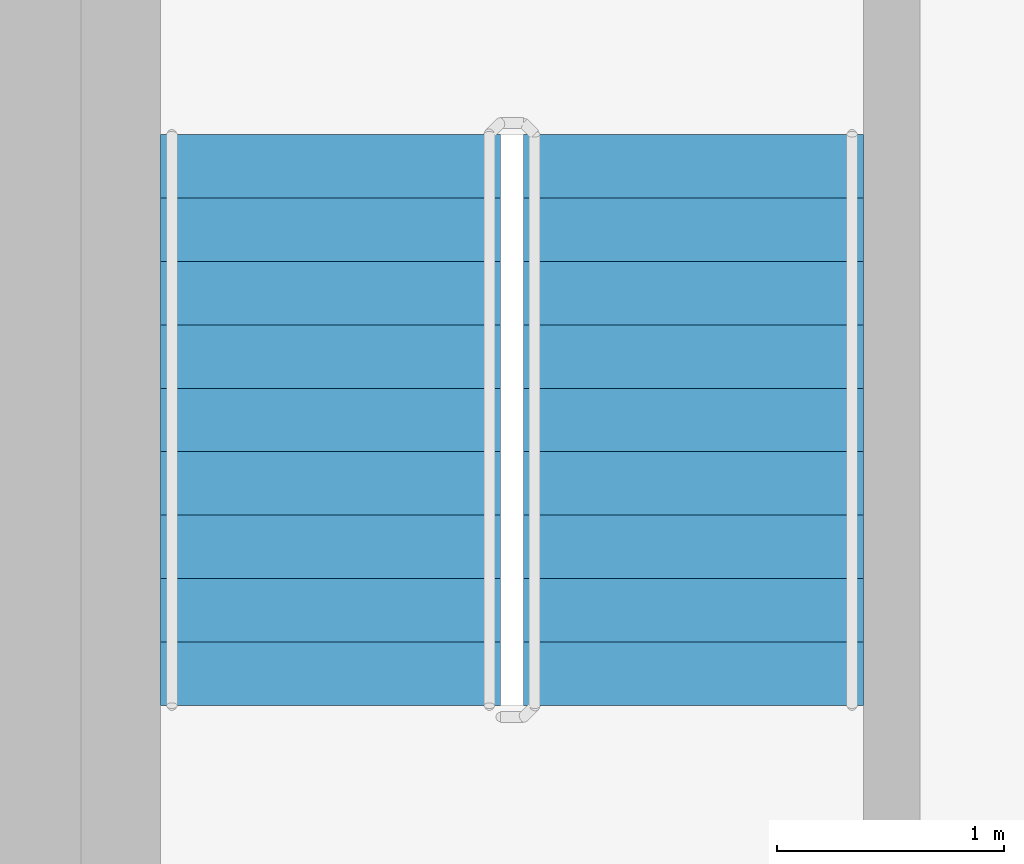
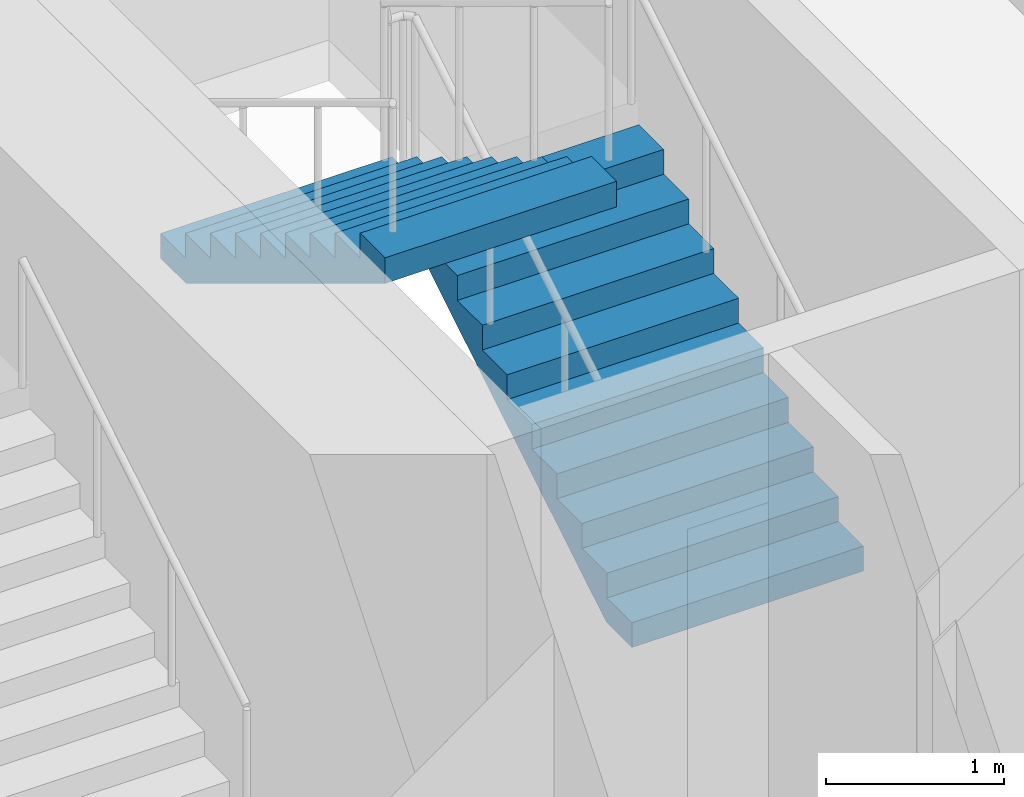
# One storey, part 14 of 22: 2 stair flights, 1 element without a shape of its own.
"""IFC4 building model written with IfcOpenShell, lengths in metres."""

from ifc_helpers import new_model, si_unit, direction, frame, origin, place, context, subcontext, project, spatial, triangles, source, transform, mapped, material, type_object, element, aggregate, save


model = new_model("IFC4")

# Units and contexts
model_context = context("Model", 3, precision=1e-05, world=origin(), true_north=direction((0.0, 1.0)))
body_context = subcontext(model_context, "Body", "Model", "MODEL_VIEW")
ifc_project = project(units=[si_unit("LENGTHUNIT", "METRE"), si_unit("AREAUNIT", "SQUARE_METRE"), si_unit("VOLUMEUNIT", "CUBIC_METRE"), si_unit("PLANEANGLEUNIT", "RADIAN"), si_unit("MASSUNIT", "GRAM", prefix="KILO")], contexts=[model_context])

# Site, building, storey
site_placement = place(None, origin())
site = spatial("IfcSite", under=ifc_project, at=site_placement, CompositionType="ELEMENT")
building_placement = place(site_placement, origin())
building = spatial("IfcBuilding", under=site, at=building_placement, Name="Kilnfold Tower and Market Hall", CompositionType="ELEMENT")
storey_placement = place(building_placement, frame((0.0, 0.0, 171.89990234375)))
storey = spatial("IfcBuildingStorey", under=building, at=storey_placement, Name="L40", CompositionType="ELEMENT", Elevation=171.89990234375)

# Stair, stair flights
ifc_material_1 = material(Name="Concrete C40/50", Category="concrete")
stair_type = type_object("IfcStairType", Name="CORE STAIR 1500", PredefinedType="HALF_TURN_STAIR", material=ifc_material_1)
stair_placement = place(storey_placement, origin())
stair = element("IfcStair", 1, at=stair_placement, inside=storey, type_object=stair_type, Name="L40 ST5", PredefinedType="HALF_TURN_STAIR")
ifc_material_2 = material(Name="Concrete C40/50", Category="concrete")
stair_flight_type = type_object("IfcStairFlightType", Name="CORE STAIR FLIGHT 1500", PredefinedType="STRAIGHT", material=ifc_material_2)
shared_shape = source(origin(), body_context, "Body", "Tessellation", [
    triangles([(0.0, 0.75, 0.0), (0.0, 0.65625, 0.0), (0.0, 0.5625, 0.0), (0.0, 0.46875, 0.0), (0.0, 0.375, 0.0), (0.0, 0.28125, 0.0), (0.0, 0.1875, 0.0), (0.0, 0.09375, 0.0), (0.0, 0.0, 0.0), (0.0, -0.09375, 0.0), (0.0, -0.1875, 0.0), (0.0, -0.28125, 0.0), (0.0, -0.375, 0.0), (0.0, -0.46875, 0.0), (0.0, -0.5625, 0.0), (0.0, -0.65625, 0.0), (0.0, -0.75, 0.0), (0.0, 0.75, 0.169921875), (0.0, 0.65625, 0.169921875), (0.0, 0.5625, 0.169921875), (0.0, 0.46875, 0.169921875), (0.0, 0.375, 0.169921875), (0.0, 0.28125, 0.169921875), (0.0, 0.1875, 0.169921875), (0.0, 0.09375, 0.169921875), (0.0, 0.0, 0.169921875), (0.0, -0.09375, 0.169921875), (0.0, -0.1875, 0.169921875), (0.0, -0.28125, 0.169921875), (0.0, -0.375, 0.169921875), (0.0, -0.46875, 0.169921875), (0.0, -0.5625, 0.169921875), (0.0, -0.65625, 0.169921875), (0.0, -0.75, 0.169921875), (0.280029296875, 0.75, 0.169921875), (0.280029296875, 0.65625, 0.169921875), (0.280029296875, 0.5625, 0.169921875), (0.280029296875, 0.46875, 0.169921875), (0.280029296875, 0.375, 0.169921875), (0.280029296875, 0.28125, 0.169921875), (0.280029296875, 0.1875, 0.169921875), (0.280029296875, 0.09375, 0.169921875), (0.280029296875, 0.0, 0.169921875), (0.280029296875, -0.09375, 0.169921875), (0.280029296875, -0.1875, 0.169921875), (0.280029296875, -0.28125, 0.169921875), (0.280029296875, -0.375, 0.169921875), (0.280029296875, -0.46875, 0.169921875), (0.280029296875, -0.5625, 0.169921875), (0.280029296875, -0.65625, 0.169921875), (0.280029296875, -0.75, 0.169921875), (0.280029296875, 0.75, 0.340087890625), (0.280029296875, 0.65625, 0.340087890625), (0.280029296875, 0.5625, 0.340087890625), (0.280029296875, 0.46875, 0.340087890625), (0.280029296875, 0.375, 0.340087890625), (0.280029296875, 0.28125, 0.340087890625), (0.280029296875, 0.1875, 0.340087890625), (0.280029296875, 0.09375, 0.340087890625), (0.280029296875, 0.0, 0.340087890625), (0.280029296875, -0.09375, 0.340087890625), (0.280029296875, -0.1875, 0.340087890625), (0.280029296875, -0.28125, 0.340087890625), (0.280029296875, -0.375, 0.340087890625), (0.280029296875, -0.46875, 0.340087890625), (0.280029296875, -0.5625, 0.340087890625), (0.280029296875, -0.65625, 0.340087890625), (0.280029296875, -0.75, 0.340087890625), (0.56005859375, 0.75, 0.340087890625), (0.56005859375, 0.65625, 0.340087890625), (0.56005859375, 0.5625, 0.340087890625), (0.56005859375, 0.46875, 0.340087890625), (0.56005859375, 0.375, 0.340087890625), (0.56005859375, 0.28125, 0.340087890625), (0.56005859375, 0.1875, 0.340087890625), (0.56005859375, 0.09375, 0.340087890625), (0.56005859375, 0.0, 0.340087890625), (0.56005859375, -0.09375, 0.340087890625), (0.56005859375, -0.1875, 0.340087890625), (0.56005859375, -0.28125, 0.340087890625), (0.56005859375, -0.375, 0.340087890625), (0.56005859375, -0.46875, 0.340087890625), (0.56005859375, -0.5625, 0.340087890625), (0.56005859375, -0.65625, 0.340087890625), (0.56005859375, -0.75, 0.340087890625), (0.56005859375, 0.75, 0.510009765625), (0.56005859375, 0.65625, 0.510009765625), (0.56005859375, 0.5625, 0.510009765625), (0.56005859375, 0.46875, 0.510009765625), (0.56005859375, 0.375, 0.510009765625), (0.56005859375, 0.28125, 0.510009765625), (0.56005859375, 0.1875, 0.510009765625), (0.56005859375, 0.09375, 0.510009765625), (0.56005859375, 0.0, 0.510009765625), (0.56005859375, -0.09375, 0.510009765625), (0.56005859375, -0.1875, 0.510009765625), (0.56005859375, -0.28125, 0.510009765625), (0.56005859375, -0.375, 0.510009765625), (0.56005859375, -0.46875, 0.510009765625), (0.56005859375, -0.5625, 0.510009765625), (0.56005859375, -0.65625, 0.510009765625), (0.56005859375, -0.75, 0.510009765625), (0.840087890625, 0.75, 0.510009765625), (0.840087890625, 0.65625, 0.510009765625), (0.840087890625, 0.5625, 0.510009765625), (0.840087890625, 0.46875, 0.510009765625), (0.840087890625, 0.375, 0.510009765625), (0.840087890625, 0.28125, 0.510009765625), (0.840087890625, 0.1875, 0.510009765625), (0.840087890625, 0.09375, 0.510009765625), (0.840087890625, 0.0, 0.510009765625), (0.840087890625, -0.09375, 0.510009765625), (0.840087890625, -0.1875, 0.510009765625), (0.840087890625, -0.28125, 0.510009765625), (0.840087890625, -0.375, 0.510009765625), (0.840087890625, -0.46875, 0.510009765625), (0.840087890625, -0.5625, 0.510009765625), (0.840087890625, -0.65625, 0.510009765625), (0.840087890625, -0.75, 0.510009765625), (0.840087890625, 0.75, 0.679931640625), (0.840087890625, 0.65625, 0.679931640625), (0.840087890625, 0.5625, 0.679931640625), (0.840087890625, 0.46875, 0.679931640625), (0.840087890625, 0.375, 0.679931640625), (0.840087890625, 0.28125, 0.679931640625), (0.840087890625, 0.1875, 0.679931640625), (0.840087890625, 0.09375, 0.679931640625), (0.840087890625, 0.0, 0.679931640625), (0.840087890625, -0.09375, 0.679931640625), (0.840087890625, -0.1875, 0.679931640625), (0.840087890625, -0.28125, 0.679931640625), (0.840087890625, -0.375, 0.679931640625), (0.840087890625, -0.46875, 0.679931640625), (0.840087890625, -0.5625, 0.679931640625), (0.840087890625, -0.65625, 0.679931640625), (0.840087890625, -0.75, 0.679931640625), (1.1201171875, 0.75, 0.679931640625), (1.1201171875, 0.65625, 0.679931640625), (1.1201171875, 0.5625, 0.679931640625), (1.1201171875, 0.46875, 0.679931640625), (1.1201171875, 0.375, 0.679931640625), (1.1201171875, 0.28125, 0.679931640625), (1.1201171875, 0.1875, 0.679931640625), (1.1201171875, 0.09375, 0.679931640625), (1.1201171875, 0.0, 0.679931640625), (1.1201171875, -0.09375, 0.679931640625), (1.1201171875, -0.1875, 0.679931640625), (1.1201171875, -0.28125, 0.679931640625), (1.1201171875, -0.375, 0.679931640625), (1.1201171875, -0.46875, 0.679931640625), (1.1201171875, -0.5625, 0.679931640625), (1.1201171875, -0.65625, 0.679931640625), (1.1201171875, -0.75, 0.679931640625), (1.1201171875, 0.75, 0.85009765625), (1.1201171875, 0.65625, 0.85009765625), (1.1201171875, 0.5625, 0.85009765625), (1.1201171875, 0.46875, 0.85009765625), (1.1201171875, 0.375, 0.85009765625), (1.1201171875, 0.28125, 0.85009765625), (1.1201171875, 0.1875, 0.85009765625), (1.1201171875, 0.09375, 0.85009765625), (1.1201171875, 0.0, 0.85009765625), (1.1201171875, -0.09375, 0.85009765625), (1.1201171875, -0.1875, 0.85009765625), (1.1201171875, -0.28125, 0.85009765625), (1.1201171875, -0.375, 0.85009765625), (1.1201171875, -0.46875, 0.85009765625), (1.1201171875, -0.5625, 0.85009765625), (1.1201171875, -0.65625, 0.85009765625), (1.1201171875, -0.75, 0.85009765625), (1.39990234375, 0.75, 0.85009765625), (1.39990234375, 0.65625, 0.85009765625), (1.39990234375, 0.5625, 0.85009765625), (1.39990234375, 0.46875, 0.85009765625), (1.39990234375, 0.375, 0.85009765625), (1.39990234375, 0.28125, 0.85009765625), (1.39990234375, 0.1875, 0.85009765625), (1.39990234375, 0.09375, 0.85009765625), (1.39990234375, 0.0, 0.85009765625), (1.39990234375, -0.09375, 0.85009765625), (1.39990234375, -0.1875, 0.85009765625), (1.39990234375, -0.28125, 0.85009765625), (1.39990234375, -0.375, 0.85009765625), (1.39990234375, -0.46875, 0.85009765625), (1.39990234375, -0.5625, 0.85009765625), (1.39990234375, -0.65625, 0.85009765625), (1.39990234375, -0.75, 0.85009765625), (1.39990234375, 0.75, 1.02001953125), (1.39990234375, 0.65625, 1.02001953125), (1.39990234375, 0.5625, 1.02001953125), (1.39990234375, 0.46875, 1.02001953125), (1.39990234375, 0.375, 1.02001953125), (1.39990234375, 0.28125, 1.02001953125), (1.39990234375, 0.1875, 1.02001953125), (1.39990234375, 0.09375, 1.02001953125), (1.39990234375, 0.0, 1.02001953125), (1.39990234375, -0.09375, 1.02001953125), (1.39990234375, -0.1875, 1.02001953125), (1.39990234375, -0.28125, 1.02001953125), (1.39990234375, -0.375, 1.02001953125), (1.39990234375, -0.46875, 1.02001953125), (1.39990234375, -0.5625, 1.02001953125), (1.39990234375, -0.65625, 1.02001953125), (1.39990234375, -0.75, 1.02001953125), (1.679931640625, 0.75, 1.02001953125), (1.679931640625, 0.65625, 1.02001953125), (1.679931640625, 0.5625, 1.02001953125), (1.679931640625, 0.46875, 1.02001953125), (1.679931640625, 0.375, 1.02001953125), (1.679931640625, 0.28125, 1.02001953125), (1.679931640625, 0.1875, 1.02001953125), (1.679931640625, 0.09375, 1.02001953125), (1.679931640625, 0.0, 1.02001953125), (1.679931640625, -0.09375, 1.02001953125), (1.679931640625, -0.1875, 1.02001953125), (1.679931640625, -0.28125, 1.02001953125), (1.679931640625, -0.375, 1.02001953125), (1.679931640625, -0.46875, 1.02001953125), (1.679931640625, -0.5625, 1.02001953125), (1.679931640625, -0.65625, 1.02001953125), (1.679931640625, -0.75, 1.02001953125), (1.679931640625, 0.75, 1.18994140625), (1.679931640625, 0.65625, 1.18994140625), (1.679931640625, 0.5625, 1.18994140625), (1.679931640625, 0.46875, 1.18994140625), (1.679931640625, 0.375, 1.18994140625), (1.679931640625, 0.28125, 1.18994140625), (1.679931640625, 0.1875, 1.18994140625), (1.679931640625, 0.09375, 1.18994140625), (1.679931640625, 0.0, 1.18994140625), (1.679931640625, -0.09375, 1.18994140625), (1.679931640625, -0.1875, 1.18994140625), (1.679931640625, -0.28125, 1.18994140625), (1.679931640625, -0.375, 1.18994140625), (1.679931640625, -0.46875, 1.18994140625), (1.679931640625, -0.5625, 1.18994140625), (1.679931640625, -0.65625, 1.18994140625), (1.679931640625, -0.75, 1.18994140625), (1.9599609375, 0.75, 1.18994140625), (1.9599609375, 0.65625, 1.18994140625), (1.9599609375, 0.5625, 1.18994140625), (1.9599609375, 0.46875, 1.18994140625), (1.9599609375, 0.375, 1.18994140625), (1.9599609375, 0.28125, 1.18994140625), (1.9599609375, 0.1875, 1.18994140625), (1.9599609375, 0.09375, 1.18994140625), (1.9599609375, 0.0, 1.18994140625), (1.9599609375, -0.09375, 1.18994140625), (1.9599609375, -0.1875, 1.18994140625), (1.9599609375, -0.28125, 1.18994140625), (1.9599609375, -0.375, 1.18994140625), (1.9599609375, -0.46875, 1.18994140625), (1.9599609375, -0.5625, 1.18994140625), (1.9599609375, -0.65625, 1.18994140625), (1.9599609375, -0.75, 1.18994140625), (1.9599609375, 0.75, 1.360107421875), (1.9599609375, 0.65625, 1.360107421875), (1.9599609375, 0.5625, 1.360107421875), (1.9599609375, 0.46875, 1.360107421875), (1.9599609375, 0.375, 1.360107421875), (1.9599609375, 0.28125, 1.360107421875), (1.9599609375, 0.1875, 1.360107421875), (1.9599609375, 0.09375, 1.360107421875), (1.9599609375, 0.0, 1.360107421875), (1.9599609375, -0.09375, 1.360107421875), (1.9599609375, -0.1875, 1.360107421875), (1.9599609375, -0.28125, 1.360107421875), (1.9599609375, -0.375, 1.360107421875), (1.9599609375, -0.46875, 1.360107421875), (1.9599609375, -0.5625, 1.360107421875), (1.9599609375, -0.65625, 1.360107421875), (1.9599609375, -0.75, 1.360107421875), (2.239990234375, 0.75, 1.360107421875), (2.239990234375, 0.65625, 1.360107421875), (2.239990234375, 0.5625, 1.360107421875), (2.239990234375, 0.46875, 1.360107421875), (2.239990234375, 0.375, 1.360107421875), (2.239990234375, 0.28125, 1.360107421875), (2.239990234375, 0.1875, 1.360107421875), (2.239990234375, 0.09375, 1.360107421875), (2.239990234375, 0.0, 1.360107421875), (2.239990234375, -0.09375, 1.360107421875), (2.239990234375, -0.1875, 1.360107421875), (2.239990234375, -0.28125, 1.360107421875), (2.239990234375, -0.375, 1.360107421875), (2.239990234375, -0.46875, 1.360107421875), (2.239990234375, -0.5625, 1.360107421875), (2.239990234375, -0.65625, 1.360107421875), (2.239990234375, -0.75, 1.360107421875), (2.239990234375, 0.75, 1.530029296875), (2.239990234375, 0.65625, 1.530029296875), (2.239990234375, 0.5625, 1.530029296875), (2.239990234375, 0.46875, 1.530029296875), (2.239990234375, 0.375, 1.530029296875), (2.239990234375, 0.28125, 1.530029296875), (2.239990234375, 0.1875, 1.530029296875), (2.239990234375, 0.09375, 1.530029296875), (2.239990234375, 0.0, 1.530029296875), (2.239990234375, -0.09375, 1.530029296875), (2.239990234375, -0.1875, 1.530029296875), (2.239990234375, -0.28125, 1.530029296875), (2.239990234375, -0.375, 1.530029296875), (2.239990234375, -0.46875, 1.530029296875), (2.239990234375, -0.5625, 1.530029296875), (2.239990234375, -0.65625, 1.530029296875), (2.239990234375, -0.75, 1.530029296875), (2.52001953125, 0.75, 1.530029296875), (2.52001953125, 0.65625, 1.530029296875), (2.52001953125, 0.5625, 1.530029296875), (2.52001953125, 0.46875, 1.530029296875), (2.52001953125, 0.375, 1.530029296875), (2.52001953125, 0.28125, 1.530029296875), (2.52001953125, 0.1875, 1.530029296875), (2.52001953125, 0.09375, 1.530029296875), (2.52001953125, 0.0, 1.530029296875), (2.52001953125, -0.09375, 1.530029296875), (2.52001953125, -0.1875, 1.530029296875), (2.52001953125, -0.28125, 1.530029296875), (2.52001953125, -0.375, 1.530029296875), (2.52001953125, -0.46875, 1.530029296875), (2.52001953125, -0.5625, 1.530029296875), (2.52001953125, -0.65625, 1.530029296875), (2.52001953125, -0.75, 1.530029296875), (2.52001953125, 0.75, 1.354736328125), (2.52001953125, 0.65625, 1.354736328125), (2.52001953125, 0.5625, 1.354736328125), (2.52001953125, 0.46875, 1.354736328125), (2.52001953125, 0.375, 1.354736328125), (2.52001953125, 0.28125, 1.354736328125), (2.52001953125, 0.1875, 1.354736328125), (2.52001953125, 0.09375, 1.354736328125), (2.52001953125, 0.0, 1.354736328125), (2.52001953125, -0.09375, 1.354736328125), (2.52001953125, -0.1875, 1.354736328125), (2.52001953125, -0.28125, 1.354736328125), (2.52001953125, -0.375, 1.354736328125), (2.52001953125, -0.46875, 1.354736328125), (2.52001953125, -0.5625, 1.354736328125), (2.52001953125, -0.65625, 1.354736328125), (2.52001953125, -0.75, 1.354736328125), (0.288818359375, 0.75, 0.0), (0.288818359375, 0.65625, 0.0), (0.288818359375, 0.5625, 0.0), (0.288818359375, 0.46875, 0.0), (0.288818359375, 0.375, 0.0), (0.288818359375, 0.28125, 0.0), (0.288818359375, 0.1875, 0.0), (0.288818359375, 0.09375, 0.0), (0.288818359375, 0.0, 0.0), (0.288818359375, -0.09375, 0.0), (0.288818359375, -0.1875, 0.0), (0.288818359375, -0.28125, 0.0), (0.288818359375, -0.375, 0.0), (0.288818359375, -0.46875, 0.0), (0.288818359375, -0.5625, 0.0), (0.288818359375, -0.65625, 0.0), (0.288818359375, -0.75, 0.0)], [[1, 324, 341], [17, 357, 340], [324, 290, 307], [340, 323, 306], [324, 273, 290], [340, 306, 289], [324, 256, 273], [340, 289, 272], [324, 239, 256], [340, 272, 255], [239, 205, 222], [255, 238, 221], [324, 205, 239], [340, 255, 221], [205, 171, 188], [221, 204, 187], [324, 171, 205], [340, 221, 187], [171, 137, 154], [187, 170, 153], [324, 137, 171], [340, 187, 153], [137, 103, 120], [153, 136, 119], [324, 103, 137], [340, 153, 119], [103, 69, 86], [119, 102, 85], [324, 69, 103], [340, 119, 85], [69, 35, 52], [85, 68, 51], [324, 35, 69], [340, 85, 51], [1, 35, 324], [17, 340, 51], [35, 1, 18], [51, 34, 17], [1, 19, 18], [1, 2, 19], [2, 20, 19], [2, 3, 20], [3, 21, 20], [3, 4, 21], [4, 22, 21], [4, 5, 22], [5, 23, 22], [5, 6, 23], [6, 24, 23], [6, 7, 24], [7, 25, 24], [7, 8, 25], [8, 26, 25], [8, 9, 26], [9, 27, 26], [9, 10, 27], [10, 28, 27], [10, 11, 28], [11, 29, 28], [11, 12, 29], [12, 30, 29], [12, 13, 30], [13, 31, 30], [13, 14, 31], [14, 32, 31], [14, 15, 32], [15, 33, 32], [15, 16, 33], [16, 34, 33], [16, 17, 34], [18, 36, 35], [18, 19, 36], [19, 37, 36], [19, 20, 37], [20, 38, 37], [20, 21, 38], [21, 39, 38], [21, 22, 39], [22, 40, 39], [22, 23, 40], [23, 41, 40], [23, 24, 41], [24, 42, 41], [24, 25, 42], [25, 43, 42], [25, 26, 43], [26, 44, 43], [26, 27, 44], [27, 45, 44], [27, 28, 45], [28, 46, 45], [28, 29, 46], [29, 47, 46], [29, 30, 47], [30, 48, 47], [30, 31, 48], [31, 49, 48], [31, 32, 49], [32, 50, 49], [32, 33, 50], [33, 51, 50], [33, 34, 51], [35, 53, 52], [35, 36, 53], [36, 54, 53], [36, 37, 54], [37, 55, 54], [37, 38, 55], [38, 56, 55], [38, 39, 56], [39, 57, 56], [39, 40, 57], [40, 58, 57], [40, 41, 58], [41, 59, 58], [41, 42, 59], [42, 60, 59], [42, 43, 60], [43, 61, 60], [43, 44, 61], [44, 62, 61], [44, 45, 62], [45, 63, 62], [45, 46, 63], [46, 64, 63], [46, 47, 64], [47, 65, 64], [47, 48, 65], [48, 66, 65], [48, 49, 66], [49, 67, 66], [49, 50, 67], [50, 68, 67], [50, 51, 68], [52, 70, 69], [52, 53, 70], [53, 71, 70], [53, 54, 71], [54, 72, 71], [54, 55, 72], [55, 73, 72], [55, 56, 73], [56, 74, 73], [56, 57, 74], [57, 75, 74], [57, 58, 75], [58, 76, 75], [58, 59, 76], [59, 77, 76], [59, 60, 77], [60, 78, 77], [60, 61, 78], [61, 79, 78], [61, 62, 79], [62, 80, 79], [62, 63, 80], [63, 81, 80], [63, 64, 81], [64, 82, 81], [64, 65, 82], [65, 83, 82], [65, 66, 83], [66, 84, 83], [66, 67, 84], [67, 85, 84], [67, 68, 85], [69, 87, 86], [69, 70, 87], [70, 88, 87], [70, 71, 88], [71, 89, 88], [71, 72, 89], [72, 90, 89], [72, 73, 90], [73, 91, 90], [73, 74, 91], [74, 92, 91], [74, 75, 92], [75, 93, 92], [75, 76, 93], [76, 94, 93], [76, 77, 94], [77, 95, 94], [77, 78, 95], [78, 96, 95], [78, 79, 96], [79, 97, 96], [79, 80, 97], [80, 98, 97], [80, 81, 98], [81, 99, 98], [81, 82, 99], [82, 100, 99], [82, 83, 100], [83, 101, 100], [83, 84, 101], [84, 102, 101], [84, 85, 102], [86, 104, 103], [86, 87, 104], [87, 105, 104], [87, 88, 105], [88, 106, 105], [88, 89, 106], [89, 107, 106], [89, 90, 107], [90, 108, 107], [90, 91, 108], [91, 109, 108], [91, 92, 109], [92, 110, 109], [92, 93, 110], [93, 111, 110], [93, 94, 111], [94, 112, 111], [94, 95, 112], [95, 113, 112], [95, 96, 113], [96, 114, 113], [96, 97, 114], [97, 115, 114], [97, 98, 115], [98, 116, 115], [98, 99, 116], [99, 117, 116], [99, 100, 117], [100, 118, 117], [100, 101, 118], [101, 119, 118], [101, 102, 119], [103, 121, 120], [103, 104, 121], [104, 122, 121], [104, 105, 122], [105, 123, 122], [105, 106, 123], [106, 124, 123], [106, 107, 124], [107, 125, 124], [107, 108, 125], [108, 126, 125], [108, 109, 126], [109, 127, 126], [109, 110, 127], [110, 128, 127], [110, 111, 128], [111, 129, 128], [111, 112, 129], [112, 130, 129], [112, 113, 130], [113, 131, 130], [113, 114, 131], [114, 132, 131], [114, 115, 132], [115, 133, 132], [115, 116, 133], [116, 134, 133], [116, 117, 134], [117, 135, 134], [117, 118, 135], [118, 136, 135], [118, 119, 136], [120, 138, 137], [120, 121, 138], [121, 139, 138], [121, 122, 139], [122, 140, 139], [122, 123, 140], [123, 141, 140], [123, 124, 141], [124, 142, 141], [124, 125, 142], [125, 143, 142], [125, 126, 143], [126, 144, 143], [126, 127, 144], [127, 145, 144], [127, 128, 145], [128, 146, 145], [128, 129, 146], [129, 147, 146], [129, 130, 147], [130, 148, 147], [130, 131, 148], [131, 149, 148], [131, 132, 149], [132, 150, 149], [132, 133, 150], [133, 151, 150], [133, 134, 151], [134, 152, 151], [134, 135, 152], [135, 153, 152], [135, 136, 153], [137, 155, 154], [137, 138, 155], [138, 156, 155], [138, 139, 156], [139, 157, 156], [139, 140, 157], [140, 158, 157], [140, 141, 158], [141, 159, 158], [141, 142, 159], [142, 160, 159], [142, 143, 160], [143, 161, 160], [143, 144, 161], [144, 162, 161], [144, 145, 162], [145, 163, 162], [145, 146, 163], [146, 164, 163], [146, 147, 164], [147, 165, 164], [147, 148, 165], [148, 166, 165], [148, 149, 166], [149, 167, 166], [149, 150, 167], [150, 168, 167], [150, 151, 168], [151, 169, 168], [151, 152, 169], [152, 170, 169], [152, 153, 170], [154, 172, 171], [154, 155, 172], [155, 173, 172], [155, 156, 173], [156, 174, 173], [156, 157, 174], [157, 175, 174], [157, 158, 175], [158, 176, 175], [158, 159, 176], [159, 177, 176], [159, 160, 177], [160, 178, 177], [160, 161, 178], [161, 179, 178], [161, 162, 179], [162, 180, 179], [162, 163, 180], [163, 181, 180], [163, 164, 181], [164, 182, 181], [164, 165, 182], [165, 183, 182], [165, 166, 183], [166, 184, 183], [166, 167, 184], [167, 185, 184], [167, 168, 185], [168, 186, 185], [168, 169, 186], [169, 187, 186], [169, 170, 187], [171, 189, 188], [171, 172, 189], [172, 190, 189], [172, 173, 190], [173, 191, 190], [173, 174, 191], [174, 192, 191], [174, 175, 192], [175, 193, 192], [175, 176, 193], [176, 194, 193], [176, 177, 194], [177, 195, 194], [177, 178, 195], [178, 196, 195], [178, 179, 196], [179, 197, 196], [179, 180, 197], [180, 198, 197], [180, 181, 198], [181, 199, 198], [181, 182, 199], [182, 200, 199], [182, 183, 200], [183, 201, 200], [183, 184, 201], [184, 202, 201], [184, 185, 202], [185, 203, 202], [185, 186, 203], [186, 204, 203], [186, 187, 204], [188, 206, 205], [188, 189, 206], [189, 207, 206], [189, 190, 207], [190, 208, 207], [190, 191, 208], [191, 209, 208], [191, 192, 209], [192, 210, 209], [192, 193, 210], [193, 211, 210], [193, 194, 211], [194, 212, 211], [194, 195, 212], [195, 213, 212], [195, 196, 213], [196, 214, 213], [196, 197, 214], [197, 215, 214], [197, 198, 215], [198, 216, 215], [198, 199, 216], [199, 217, 216], [199, 200, 217], [200, 218, 217], [200, 201, 218], [201, 219, 218], [201, 202, 219], [202, 220, 219], [202, 203, 220], [203, 221, 220], [203, 204, 221], [205, 223, 222], [205, 206, 223], [206, 224, 223], [206, 207, 224], [207, 225, 224], [207, 208, 225], [208, 226, 225], [208, 209, 226], [209, 227, 226], [209, 210, 227], [210, 228, 227], [210, 211, 228], [211, 229, 228], [211, 212, 229], [212, 230, 229], [212, 213, 230], [213, 231, 230], [213, 214, 231], [214, 232, 231], [214, 215, 232], [215, 233, 232], [215, 216, 233], [216, 234, 233], [216, 217, 234], [217, 235, 234], [217, 218, 235], [218, 236, 235], [218, 219, 236], [219, 237, 236], [219, 220, 237], [220, 238, 237], [220, 221, 238], [222, 240, 239], [222, 223, 240], [223, 241, 240], [223, 224, 241], [224, 242, 241], [224, 225, 242], [225, 243, 242], [225, 226, 243], [226, 244, 243], [226, 227, 244], [227, 245, 244], [227, 228, 245], [228, 246, 245], [228, 229, 246], [229, 247, 246], [229, 230, 247], [230, 248, 247], [230, 231, 248], [231, 249, 248], [231, 232, 249], [232, 250, 249], [232, 233, 250], [233, 251, 250], [233, 234, 251], [234, 252, 251], [234, 235, 252], [235, 253, 252], [235, 236, 253], [236, 254, 253], [236, 237, 254], [237, 255, 254], [237, 238, 255], [239, 257, 256], [239, 240, 257], [240, 258, 257], [240, 241, 258], [241, 259, 258], [241, 242, 259], [242, 260, 259], [242, 243, 260], [243, 261, 260], [243, 244, 261], [244, 262, 261], [244, 245, 262], [245, 263, 262], [245, 246, 263], [246, 264, 263], [246, 247, 264], [247, 265, 264], [247, 248, 265], [248, 266, 265], [248, 249, 266], [249, 267, 266], [249, 250, 267], [250, 268, 267], [250, 251, 268], [251, 269, 268], [251, 252, 269], [252, 270, 269], [252, 253, 270], [253, 271, 270], [253, 254, 271], [254, 272, 271], [254, 255, 272], [256, 274, 273], [256, 257, 274], [257, 275, 274], [257, 258, 275], [258, 276, 275], [258, 259, 276], [259, 277, 276], [259, 260, 277], [260, 278, 277], [260, 261, 278], [261, 279, 278], [261, 262, 279], [262, 280, 279], [262, 263, 280], [263, 281, 280], [263, 264, 281], [264, 282, 281], [264, 265, 282], [265, 283, 282], [265, 266, 283], [266, 284, 283], [266, 267, 284], [267, 285, 284], [267, 268, 285], [268, 286, 285], [268, 269, 286], [269, 287, 286], [269, 270, 287], [270, 288, 287], [270, 271, 288], [271, 289, 288], [271, 272, 289], [273, 291, 290], [273, 274, 291], [274, 292, 291], [274, 275, 292], [275, 293, 292], [275, 276, 293], [276, 294, 293], [276, 277, 294], [277, 295, 294], [277, 278, 295], [278, 296, 295], [278, 279, 296], [279, 297, 296], [279, 280, 297], [280, 298, 297], [280, 281, 298], [281, 299, 298], [281, 282, 299], [282, 300, 299], [282, 283, 300], [283, 301, 300], [283, 284, 301], [284, 302, 301], [284, 285, 302], [285, 303, 302], [285, 286, 303], [286, 304, 303], [286, 287, 304], [287, 305, 304], [287, 288, 305], [288, 306, 305], [288, 289, 306], [290, 308, 307], [290, 291, 308], [291, 309, 308], [291, 292, 309], [292, 310, 309], [292, 293, 310], [293, 311, 310], [293, 294, 311], [294, 312, 311], [294, 295, 312], [295, 313, 312], [295, 296, 313], [296, 314, 313], [296, 297, 314], [297, 315, 314], [297, 298, 315], [298, 316, 315], [298, 299, 316], [299, 317, 316], [299, 300, 317], [300, 318, 317], [300, 301, 318], [301, 319, 318], [301, 302, 319], [302, 320, 319], [302, 303, 320], [303, 321, 320], [303, 304, 321], [304, 322, 321], [304, 305, 322], [305, 323, 322], [305, 306, 323], [307, 325, 324], [307, 308, 325], [308, 326, 325], [308, 309, 326], [309, 327, 326], [309, 310, 327], [310, 328, 327], [310, 311, 328], [311, 329, 328], [311, 312, 329], [312, 330, 329], [312, 313, 330], [313, 331, 330], [313, 314, 331], [314, 332, 331], [314, 315, 332], [315, 333, 332], [315, 316, 333], [316, 334, 333], [316, 317, 334], [317, 335, 334], [317, 318, 335], [318, 336, 335], [318, 319, 336], [319, 337, 336], [319, 320, 337], [320, 338, 337], [320, 321, 338], [321, 339, 338], [321, 322, 339], [322, 340, 339], [322, 323, 340], [324, 342, 341], [324, 325, 342], [325, 343, 342], [325, 326, 343], [326, 344, 343], [326, 327, 344], [327, 345, 344], [327, 328, 345], [328, 346, 345], [328, 329, 346], [329, 347, 346], [329, 330, 347], [330, 348, 347], [330, 331, 348], [331, 349, 348], [331, 332, 349], [332, 350, 349], [332, 333, 350], [333, 351, 350], [333, 334, 351], [334, 352, 351], [334, 335, 352], [335, 353, 352], [335, 336, 353], [336, 354, 353], [336, 337, 354], [337, 355, 354], [337, 338, 355], [338, 356, 355], [338, 339, 356], [339, 357, 356], [339, 340, 357], [341, 2, 1], [341, 342, 2], [342, 3, 2], [342, 343, 3], [343, 4, 3], [343, 344, 4], [344, 5, 4], [344, 345, 5], [345, 6, 5], [345, 346, 6], [346, 7, 6], [346, 347, 7], [347, 8, 7], [347, 348, 8], [348, 9, 8], [348, 349, 9], [349, 10, 9], [349, 350, 10], [350, 11, 10], [350, 351, 11], [351, 12, 11], [351, 352, 12], [352, 13, 12], [352, 353, 13], [353, 14, 13], [353, 354, 14], [354, 15, 14], [354, 355, 15], [355, 16, 15], [355, 356, 16], [356, 17, 16], [356, 357, 17]], closed=True),
])
stair_flight_1_placement = place(storey_placement, frame((20.699951171875, 11.5, 0.0), z_axis=(0.0, 0.0, 1.0), x_axis=(0.0, 1.0, 0.0)))
stair_flight_1 = element("IfcStairFlight", 2, at=stair_flight_1_placement, type_object=stair_flight_type, Name="ST5 flight 1", NumberOfRisers=10, NumberOfTreads=9, PredefinedType="STRAIGHT", RiserHeight=0.17, TreadLength=0.28, context=body_context, shape_type="MappedRepresentation", body=[
    mapped(shared_shape, transform((0.0, 0.0, 0.0))),
])
stair_flight_2_placement = place(storey_placement, frame((19.10009765625, 14.02001953125, 1.7001953125), z_axis=(0.0, 0.0, 1.0), x_axis=(0.0, -1.0, 0.0)))
stair_flight_2 = element("IfcStairFlight", 3, at=stair_flight_2_placement, type_object=stair_flight_type, Name="ST5 flight 2", NumberOfRisers=10, NumberOfTreads=9, PredefinedType="STRAIGHT", RiserHeight=0.17, TreadLength=0.28, context=body_context, shape_type="MappedRepresentation", body=[
    mapped(shared_shape, transform((0.0, 0.0, 0.0))),
])
aggregate(stair, [stair_flight_1, stair_flight_2])

save(model, "model.ifc")
